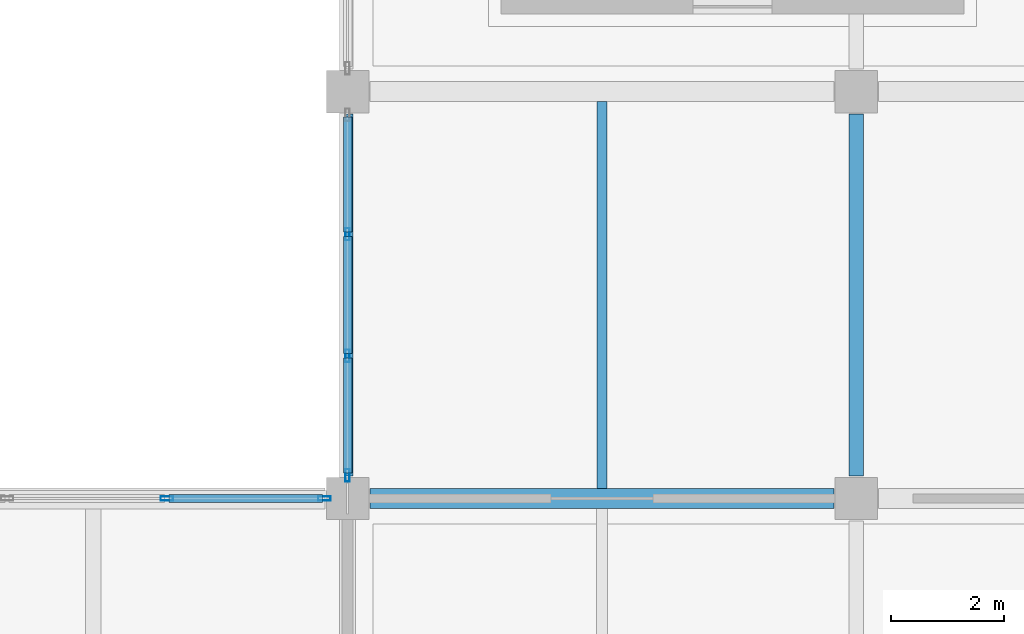
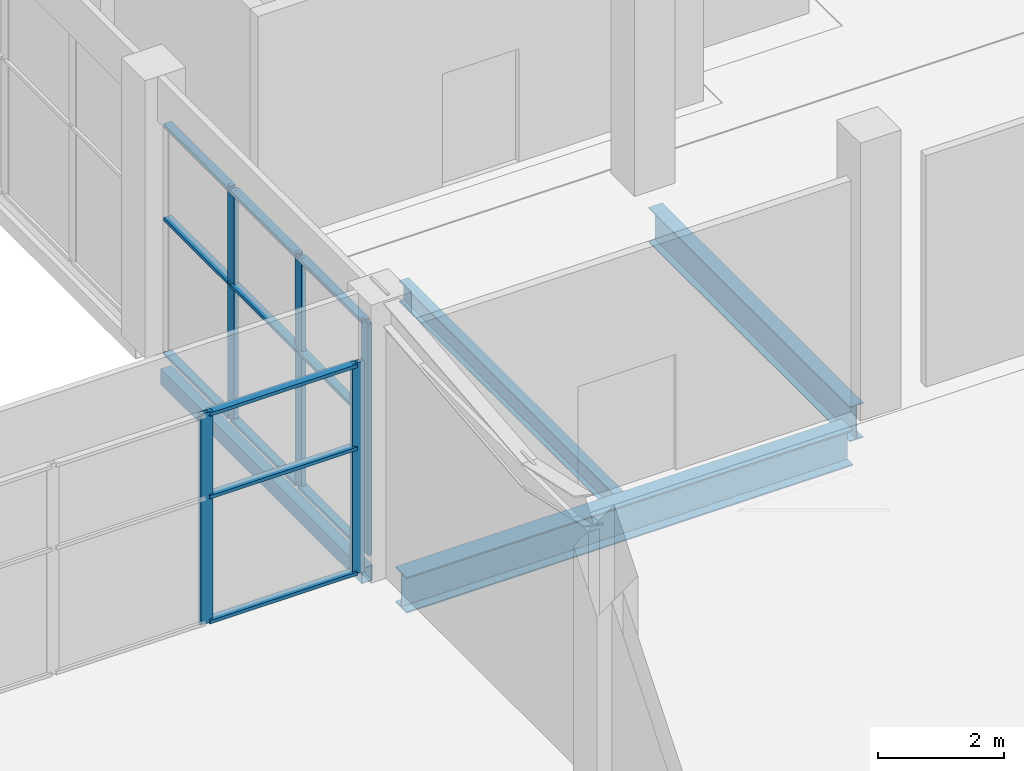
# One storey, part 90 of 189: 17 members, 4 beams, 2 elements without a shape of their own.
"""IFC4 building model written with IfcOpenShell, lengths in metres."""

from ifc_helpers import new_model, si_unit, direction, frame, origin, origin_2d, place, context, subcontext, project, spatial, hollow_rectangle, i_section, extrude, material, layer, layer_set, material_profile, profile_set, type_object, element, aggregate, save


model = new_model("IFC4")

# Units and contexts
model_context = context("Model", 3, precision=1e-05, world=origin(), true_north=direction((0.0, 1.0)))
body_context = subcontext(model_context, "Body", "Model", "MODEL_VIEW")
ifc_project = project(units=[si_unit("LENGTHUNIT", "METRE"), si_unit("AREAUNIT", "SQUARE_METRE"), si_unit("VOLUMEUNIT", "CUBIC_METRE"), si_unit("PLANEANGLEUNIT", "RADIAN"), si_unit("MASSUNIT", "GRAM", prefix="KILO")], contexts=[model_context])

# Site, building, storey
site_placement = place(None, origin())
site = spatial("IfcSite", under=ifc_project, at=site_placement, CompositionType="ELEMENT")
building_placement = place(site_placement, origin())
building = spatial("IfcBuilding", under=site, at=building_placement, Name="Celestram Park Convention Centre", CompositionType="ELEMENT")
storey_placement = place(building_placement, frame((0.0, 0.0, 5.39990234375)))
storey = spatial("IfcBuildingStorey", under=building, at=storey_placement, Name="L01", CompositionType="ELEMENT", Elevation=5.39990234375)

# Curtain wall, members
ifc_material_1 = material(Name="Anodised Aluminium Alloy 6063-T6", Category="aluminium")
ifc_layer_1 = layer(ifc_material_1, 0.179931640625)
ifc_layer_set_1 = layer_set([ifc_layer_1], Name="Anodised Aluminium Alloy 6063-T6")
curtain_wall_type_1 = type_object("IfcCurtainWallType", Name="ARC-CW-848X410", PredefinedType="NOTDEFINED", material=ifc_layer_set_1)
curtain_wall_1_placement = place(storey_placement, origin())
curtain_wall_1 = element("IfcCurtainWall", 1, at=curtain_wall_1_placement, inside=storey, type_object=curtain_wall_type_1, Name="Unitised curtain wall CU-L01-050", PredefinedType="NOTDEFINED")
ifc_material_profile_1 = material_profile(ifc_material_1, hollow_rectangle(XDim=0.074951171875, YDim=0.219970703125, WallThickness=0.00390625, at=origin_2d()), Name="ALU75X220X4")
ifc_profile_set_1 = profile_set([ifc_material_profile_1], Name="Anodised Aluminium Alloy 6063-T6")
member_type_1 = type_object("IfcMemberType", Name="ARC-CWM-180", PredefinedType="MULLION", material=ifc_profile_set_1)
member_1_placement = place(storey_placement, frame((32.80078125, 136.800048828125, 0.0), z_axis=(0.0, 0.0, 1.0), x_axis=(0.0, 1.0, 0.0)))
member_1 = element("IfcMember", 2, at=member_1_placement, type_object=member_type_1, Name="CW-84X41 mullion 3", PredefinedType="MULLION", context=body_context, shape_type="SweptSolid", body=[
    extrude(hollow_rectangle(XDim=0.074951171875, YDim=0.219970703125, WallThickness=0.00390625, at=origin_2d()), origin(), (0.0, 0.0, 1.0), 4.10009765625),
])
member_2_placement = place(storey_placement, frame((35.589599609375, 136.800048828125, 0.0), z_axis=(0.0, 0.0, 1.0), x_axis=(0.0, 1.0, 0.0)))
member_2 = element("IfcMember", 3, at=member_2_placement, type_object=member_type_1, Name="CW-84X41 mullion 4", PredefinedType="MULLION", context=body_context, shape_type="SweptSolid", body=[
    extrude(hollow_rectangle(XDim=0.074951171875, YDim=0.219970703125, WallThickness=0.00390625, at=origin_2d()), origin(), (0.0, 0.0, 1.0), 4.10009765625),
])

ifc_layer_2 = layer(ifc_material_1, 0.179931640625)
ifc_layer_set_2 = layer_set([ifc_layer_2], Name="Anodised Aluminium Alloy 6063-T6")
curtain_wall_type_2 = type_object("IfcCurtainWallType", Name="ARC-CW-645X451", PredefinedType="NOTDEFINED", material=ifc_layer_set_2)
curtain_wall_2_placement = place(storey_placement, origin())
curtain_wall_2 = element("IfcCurtainWall", 4, at=curtain_wall_2_placement, inside=storey, type_object=curtain_wall_type_2, Name="Unitised curtain wall CU-L01-051", PredefinedType="NOTDEFINED")
member_3_placement = place(storey_placement, frame((36.0, 137.21044921875, 0.0), z_axis=(0.0, 0.0, 1.0), x_axis=(-1.0, 0.0, 0.0)))
member_3 = element("IfcMember", 5, at=member_3_placement, type_object=member_type_1, Name="CW-64X45 mullion 1", PredefinedType="MULLION", context=body_context, shape_type="SweptSolid", body=[
    extrude(hollow_rectangle(XDim=0.074951171875, YDim=0.219970703125, WallThickness=0.00390625, at=origin_2d()), origin(), (0.0, 0.0, 1.0), 4.508056640625),
])
member_4_placement = place(storey_placement, frame((36.0, 139.32421875, 0.0), z_axis=(0.0, 0.0, 1.0), x_axis=(-1.0, 0.0, 0.0)))
member_4 = element("IfcMember", 6, at=member_4_placement, type_object=member_type_1, Name="CW-64X45 mullion 2", PredefinedType="MULLION", context=body_context, shape_type="SweptSolid", body=[
    extrude(hollow_rectangle(XDim=0.074951171875, YDim=0.219970703125, WallThickness=0.00390625, at=origin_2d()), origin(), (0.0, 0.0, 1.0), 4.508056640625),
])
member_5_placement = place(storey_placement, frame((36.0, 141.4755859375, 0.0), z_axis=(0.0, 0.0, 1.0), x_axis=(-1.0, 0.0, 0.0)))
member_5 = element("IfcMember", 7, at=member_5_placement, type_object=member_type_1, Name="CW-64X45 mullion 3", PredefinedType="MULLION", context=body_context, shape_type="SweptSolid", body=[
    extrude(hollow_rectangle(XDim=0.074951171875, YDim=0.219970703125, WallThickness=0.00390625, at=origin_2d()), origin(), (0.0, 0.0, 1.0), 4.508056640625),
])

# Member
ifc_material_profile_2 = material_profile(ifc_material_1, hollow_rectangle(XDim=0.14990234375, YDim=0.06494140625, WallThickness=0.0029296875, at=origin_2d()), Name="ALU150X65X3")
ifc_profile_set_2 = profile_set([ifc_material_profile_2], Name="Anodised Aluminium Alloy 6063-T6")
member_type_2 = type_object("IfcMemberType", Name="ARC-CWT-150", PredefinedType="USERDEFINED", material=ifc_profile_set_2)
member_6_placement = place(storey_placement, frame((32.838134765625, 136.800048828125, 0.03271484375), z_axis=(1.0, 0.0, 0.0), x_axis=(0.0, 1.0, 0.0)))
member_6 = element("IfcMember", 8, at=member_6_placement, type_object=member_type_2, Name="CW-84X41 transom 3.1", ObjectType="TRANSOM", PredefinedType="USERDEFINED", context=body_context, shape_type="SweptSolid", body=[
    extrude(hollow_rectangle(XDim=0.14990234375, YDim=0.06494140625, WallThickness=0.0029296875, at=origin_2d()), origin(), (0.0, 0.0, 1.0), 2.7138671875),
])

member_7_placement = place(storey_placement, frame((32.838134765625, 136.800048828125, 2.460205078125), z_axis=(1.0, 0.0, 0.0), x_axis=(0.0, 1.0, 0.0)))
member_7 = element("IfcMember", 9, at=member_7_placement, type_object=member_type_2, Name="CW-84X41 transom 3.2", ObjectType="TRANSOM", PredefinedType="USERDEFINED", context=body_context, shape_type="SweptSolid", body=[
    extrude(hollow_rectangle(XDim=0.14990234375, YDim=0.06494140625, WallThickness=0.0029296875, at=origin_2d()), origin(), (0.0, 0.0, 1.0), 2.7138671875),
])

member_8_placement = place(storey_placement, frame((32.838134765625, 136.800048828125, 4.067626953125), z_axis=(1.0, 0.0, 0.0), x_axis=(0.0, 1.0, 0.0)))
member_8 = element("IfcMember", 10, at=member_8_placement, type_object=member_type_2, Name="CW-84X41 transom 3.3", ObjectType="TRANSOM", PredefinedType="USERDEFINED", context=body_context, shape_type="SweptSolid", body=[
    extrude(hollow_rectangle(XDim=0.14990234375, YDim=0.06494140625, WallThickness=0.0029296875, at=origin_2d()), origin(), (0.0, 0.0, 1.0), 2.7138671875),
])

aggregate(curtain_wall_1, [member_1, member_2, member_6, member_7, member_8])

member_9_placement = place(storey_placement, frame((36.0, 137.248046875, 0.03271484375), z_axis=(0.0, 1.0, 0.0), x_axis=(-1.0, 0.0, 0.0)))
member_9 = element("IfcMember", 11, at=member_9_placement, type_object=member_type_2, Name="CW-64X45 transom 1.1", ObjectType="TRANSOM", PredefinedType="USERDEFINED", context=body_context, shape_type="SweptSolid", body=[
    extrude(hollow_rectangle(XDim=0.14990234375, YDim=0.06494140625, WallThickness=0.0029296875, at=origin_2d()), origin(), (0.0, 0.0, 1.0), 2.038818359375),
])

member_10_placement = place(storey_placement, frame((36.0, 137.248046875, 2.650146484375), z_axis=(0.0, 1.0, 0.0), x_axis=(-1.0, 0.0, 0.0)))
member_10 = element("IfcMember", 12, at=member_10_placement, type_object=member_type_2, Name="CW-64X45 transom 1.2", ObjectType="TRANSOM", PredefinedType="USERDEFINED", context=body_context, shape_type="SweptSolid", body=[
    extrude(hollow_rectangle(XDim=0.14990234375, YDim=0.06494140625, WallThickness=0.0029296875, at=origin_2d()), origin(), (0.0, 0.0, 1.0), 2.038818359375),
])

member_11_placement = place(storey_placement, frame((36.0, 137.248046875, 4.4755859375), z_axis=(0.0, 1.0, 0.0), x_axis=(-1.0, 0.0, 0.0)))
member_11 = element("IfcMember", 13, at=member_11_placement, type_object=member_type_2, Name="CW-64X45 transom 1.3", ObjectType="TRANSOM", PredefinedType="USERDEFINED", context=body_context, shape_type="SweptSolid", body=[
    extrude(hollow_rectangle(XDim=0.14990234375, YDim=0.06494140625, WallThickness=0.0029296875, at=origin_2d()), origin(), (0.0, 0.0, 1.0), 2.038818359375),
])

member_12_placement = place(storey_placement, frame((36.0, 139.36181640625, 0.03271484375), z_axis=(0.0, 1.0, 0.0), x_axis=(-1.0, 0.0, 0.0)))
member_12 = element("IfcMember", 14, at=member_12_placement, type_object=member_type_2, Name="CW-64X45 transom 2.1", ObjectType="TRANSOM", PredefinedType="USERDEFINED", context=body_context, shape_type="SweptSolid", body=[
    extrude(hollow_rectangle(XDim=0.14990234375, YDim=0.06494140625, WallThickness=0.0029296875, at=origin_2d()), origin(), (0.0, 0.0, 1.0), 2.076416015625),
])

member_13_placement = place(storey_placement, frame((36.0, 139.36181640625, 2.650146484375), z_axis=(0.0, 1.0, 0.0), x_axis=(-1.0, 0.0, 0.0)))
member_13 = element("IfcMember", 15, at=member_13_placement, type_object=member_type_2, Name="CW-64X45 transom 2.2", ObjectType="TRANSOM", PredefinedType="USERDEFINED", context=body_context, shape_type="SweptSolid", body=[
    extrude(hollow_rectangle(XDim=0.14990234375, YDim=0.06494140625, WallThickness=0.0029296875, at=origin_2d()), origin(), (0.0, 0.0, 1.0), 2.076416015625),
])

member_14_placement = place(storey_placement, frame((36.0, 139.36181640625, 4.4755859375), z_axis=(0.0, 1.0, 0.0), x_axis=(-1.0, 0.0, 0.0)))
member_14 = element("IfcMember", 16, at=member_14_placement, type_object=member_type_2, Name="CW-64X45 transom 2.3", ObjectType="TRANSOM", PredefinedType="USERDEFINED", context=body_context, shape_type="SweptSolid", body=[
    extrude(hollow_rectangle(XDim=0.14990234375, YDim=0.06494140625, WallThickness=0.0029296875, at=origin_2d()), origin(), (0.0, 0.0, 1.0), 2.076416015625),
])

member_15_placement = place(storey_placement, frame((36.0, 141.51318359375, 0.03271484375), z_axis=(0.0, 1.0, 0.0), x_axis=(-1.0, 0.0, 0.0)))
member_15 = element("IfcMember", 17, at=member_15_placement, type_object=member_type_2, Name="CW-64X45 transom 3.1", ObjectType="TRANSOM", PredefinedType="USERDEFINED", context=body_context, shape_type="SweptSolid", body=[
    extrude(hollow_rectangle(XDim=0.14990234375, YDim=0.06494140625, WallThickness=0.0029296875, at=origin_2d()), origin(), (0.0, 0.0, 1.0), 2.038818359375),
])

member_16_placement = place(storey_placement, frame((36.0, 141.51318359375, 2.650146484375), z_axis=(0.0, 1.0, 0.0), x_axis=(-1.0, 0.0, 0.0)))
member_16 = element("IfcMember", 18, at=member_16_placement, type_object=member_type_2, Name="CW-64X45 transom 3.2", ObjectType="TRANSOM", PredefinedType="USERDEFINED", context=body_context, shape_type="SweptSolid", body=[
    extrude(hollow_rectangle(XDim=0.14990234375, YDim=0.06494140625, WallThickness=0.0029296875, at=origin_2d()), origin(), (0.0, 0.0, 1.0), 2.038818359375),
])

member_17_placement = place(storey_placement, frame((36.0, 141.51318359375, 4.4755859375), z_axis=(0.0, 1.0, 0.0), x_axis=(-1.0, 0.0, 0.0)))
member_17 = element("IfcMember", 19, at=member_17_placement, type_object=member_type_2, Name="CW-64X45 transom 3.3", ObjectType="TRANSOM", PredefinedType="USERDEFINED", context=body_context, shape_type="SweptSolid", body=[
    extrude(hollow_rectangle(XDim=0.14990234375, YDim=0.06494140625, WallThickness=0.0029296875, at=origin_2d()), origin(), (0.0, 0.0, 1.0), 2.038818359375),
])

aggregate(curtain_wall_2, [member_3, member_4, member_5, member_9, member_10, member_11, member_12, member_13, member_14, member_15, member_16, member_17])

# Beams
ifc_material_2 = material(Name="Steel ASTM A992 Grade 50", Category="steel")
ifc_material_profile_3 = material_profile(ifc_material_2, i_section(OverallWidth=0.35595703125, OverallDepth=0.696044921875, WebThickness=0.015380859375, FlangeThickness=0.02490234375, at=origin_2d()), Name="W27X146")
ifc_profile_set_3 = profile_set([ifc_material_profile_3], Name="Steel ASTM A992 Grade 50")
beam_type_1 = type_object("IfcBeamType", Name="STR-BM-W27X146", PredefinedType="BEAM", material=ifc_profile_set_3)
beam_1_placement = place(storey_placement, frame((36.39794921875, 136.800048828125, -0.6279296875), z_axis=(1.0, 0.0, 0.0), x_axis=(0.0, 1.0, 0.0)))
element("IfcBeam", 20, at=beam_1_placement, inside=storey, type_object=beam_type_1, Name="Primary X-girder BG-L01-0050", PredefinedType="BEAM", context=body_context, shape_type="SweptSolid", body=[
    extrude(i_section(OverallWidth=0.35595703125, OverallDepth=0.696044921875, WebThickness=0.015380859375, FlangeThickness=0.02490234375, at=origin_2d()), origin(), (0.0, 0.0, 1.0), 8.2041015625),
])
ifc_material_profile_4 = material_profile(ifc_material_2, i_section(OverallWidth=0.25390625, OverallDepth=0.68310546875, WebThickness=0.012451171875, FlangeThickness=0.01904296875, at=origin_2d()), Name="W27X94")
ifc_profile_set_4 = profile_set([ifc_material_profile_4], Name="Steel ASTM A992 Grade 50")
beam_type_2 = type_object("IfcBeamType", Name="STR-BM-W27X94", PredefinedType="BEAM", material=ifc_profile_set_4)
beam_2_placement = place(storey_placement, frame((45.0, 137.197998046875, -0.621337890625), z_axis=(0.0, 1.0, 0.0), x_axis=(-1.0, 0.0, 0.0)))
element("IfcBeam", 21, at=beam_2_placement, inside=storey, type_object=beam_type_2, Name="Primary Y-girder BG-L01-0072", PredefinedType="BEAM", context=body_context, shape_type="SweptSolid", body=[
    extrude(i_section(OverallWidth=0.25390625, OverallDepth=0.68310546875, WebThickness=0.012451171875, FlangeThickness=0.01904296875, at=origin_2d()), origin(), (0.0, 0.0, 1.0), 6.404052734375),
])
ifc_material_profile_5 = material_profile(ifc_material_2, i_section(OverallWidth=0.177978515625, OverallDepth=0.406005859375, WebThickness=0.0078125, FlangeThickness=0.0126953125, at=origin_2d()), Name="W16X40")
ifc_profile_set_5 = profile_set([ifc_material_profile_5], Name="Steel ASTM A992 Grade 50")
beam_type_3 = type_object("IfcBeamType", Name="STR-JST-W16X40", PredefinedType="JOIST", material=ifc_profile_set_5)
beam_3_placement = place(storey_placement, frame((40.5, 136.97412109375, -0.48291015625), z_axis=(0.0, 1.0, 0.0), x_axis=(-1.0, 0.0, 0.0)))
element("IfcBeam", 22, at=beam_3_placement, inside=storey, type_object=beam_type_3, Name="Secondary composite joist BG-L01-0564", PredefinedType="JOIST", context=body_context, shape_type="SweptSolid", body=[
    extrude(i_section(OverallWidth=0.177978515625, OverallDepth=0.406005859375, WebThickness=0.0078125, FlangeThickness=0.0126953125, at=origin_2d()), origin(), (0.0, 0.0, 1.0), 6.851806640625),
])
ifc_material_3 = material(Name="Steel ASTM A500 Grade C", Category="steel")
ifc_material_profile_6 = material_profile(ifc_material_3, hollow_rectangle(XDim=0.199951171875, YDim=0.300048828125, WallThickness=0.011962890625, at=origin_2d()), Name="HSS300X200X12")
ifc_profile_set_6 = profile_set([ifc_material_profile_6], Name="Steel ASTM A500 Grade C")
beam_type_4 = type_object("IfcBeamType", Name="STR-SPN-HSS300X200", PredefinedType="SPANDREL", material=ifc_profile_set_6)
beam_4_placement = place(storey_placement, frame((36.0, 137.197998046875, -0.429931640625), z_axis=(0.0, 1.0, 0.0), x_axis=(-1.0, 0.0, 0.0)))
element("IfcBeam", 23, at=beam_4_placement, inside=storey, type_object=beam_type_4, Name="Primary Y-girder BG-L01-0051", PredefinedType="SPANDREL", context=body_context, shape_type="SweptSolid", body=[
    extrude(hollow_rectangle(XDim=0.199951171875, YDim=0.300048828125, WallThickness=0.011962890625, at=origin_2d()), origin(), (0.0, 0.0, 1.0), 6.404052734375),
])

save(model, "model.ifc")
